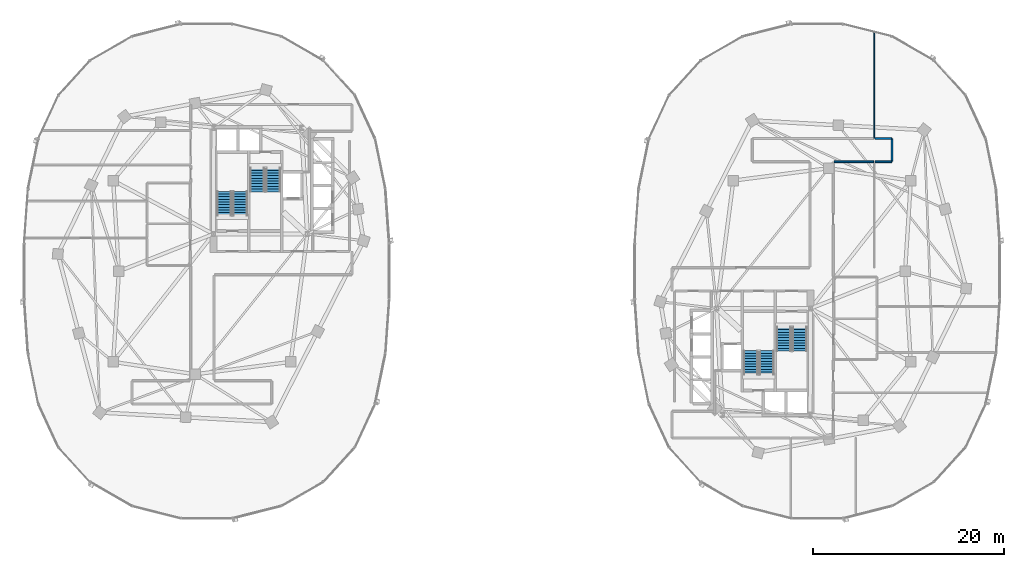
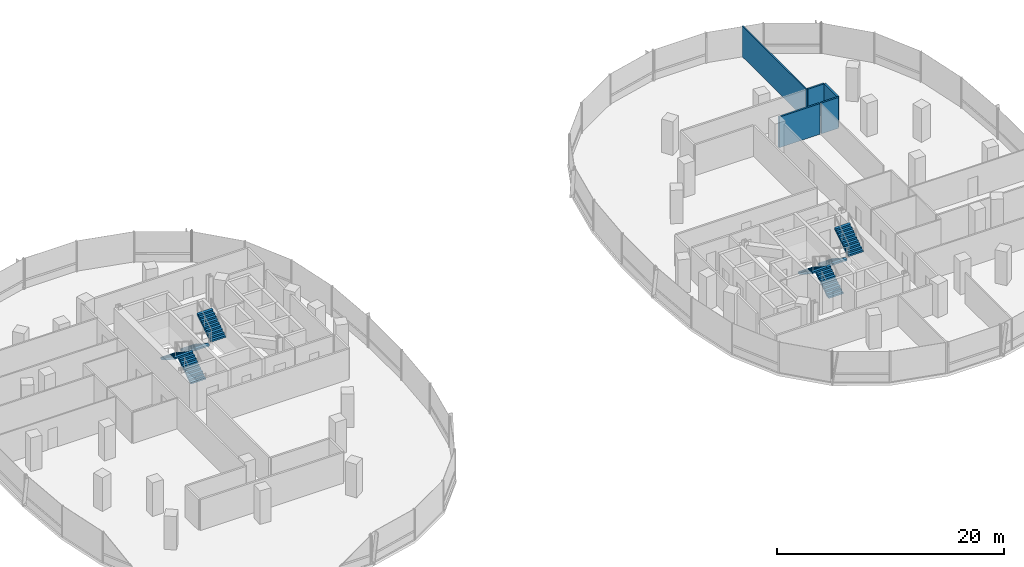
# One storey, part 14 of 21: 8 stair flights, 5 walls, 4 elements without a shape of their own.
"""IFC4 building model written with IfcOpenShell, lengths in metres."""

from ifc_helpers import new_model, si_unit, direction, frame, frame_2d, origin, place, context, subcontext, project, spatial, polyline, rectangle, outline, extrude, material, layer, layer_set, type_object, element, aggregate, save


model = new_model("IFC4")

# Units and contexts
model_context = context("Model", 3, precision=1e-05, world=origin(), true_north=direction((0.0, 1.0)))
body_context = subcontext(model_context, "Body", "Model", "MODEL_VIEW")
ifc_project = project(units=[si_unit("LENGTHUNIT", "METRE"), si_unit("AREAUNIT", "SQUARE_METRE"), si_unit("VOLUMEUNIT", "CUBIC_METRE"), si_unit("PLANEANGLEUNIT", "RADIAN"), si_unit("MASSUNIT", "GRAM", prefix="KILO"), si_unit("THERMODYNAMICTEMPERATUREUNIT", "KELVIN"), si_unit("POWERUNIT", "WATT")], contexts=[model_context])

# Site, building, storey
site_placement = place(None, origin())
site = spatial("IfcSite", under=ifc_project, at=site_placement, CompositionType="ELEMENT")
building_placement = place(site_placement, origin())
building = spatial("IfcBuilding", under=site, at=building_placement, Name="Cundina Bronze Exchange", CompositionType="ELEMENT")
storey_placement = place(building_placement, frame((0.0, 0.0, 89.0)))
storey = spatial("IfcBuildingStorey", under=building, at=storey_placement, Name="L22", CompositionType="ELEMENT", Elevation=89.0)

# Walls
ifc_material_1 = material(Name="Gypsum Fireboard Partition EI120")
ifc_layer_1 = layer(ifc_material_1, 0.179931640625, Name="Gypsum Fireboard Partition EI120")
ifc_layer_set_1 = layer_set([ifc_layer_1], Name="Gypsum Fireboard Partition EI120")
wall_type_1 = type_object("IfcWallType", Name="WL-COR-180", PredefinedType="PARTITIONING", material=ifc_layer_set_1)
wall_1_placement = place(storey_placement, frame((33.75, 11.47998046875, 0.0), z_axis=(0.0, 0.0, 1.0), x_axis=(1.0, 0.0, 0.0)))
element("IfcWall", 1, at=wall_1_placement, inside=storey, type_object=wall_type_1, Name="L22 Interior Partition 067", PredefinedType="PARTITIONING", context=body_context, shape_type="SweptSolid", body=[
    extrude(rectangle(XDim=4.139892578125, YDim=0.179931640625, at=frame_2d((2.06982421875, 0.0))), origin(), (0.0, 0.0, 1.0), 3.300048828125),
])
wall_2_placement = place(storey_placement, frame((39.820068359375, 11.521484375, 0.0), z_axis=(0.0, 0.0, 1.0), x_axis=(0.0, 1.0, 0.0)))
element("IfcWall", 2, at=wall_2_placement, inside=storey, type_object=wall_type_1, Name="L22 Interior Partition 068", PredefinedType="PARTITIONING", context=body_context, shape_type="SweptSolid", body=[
    extrude(rectangle(XDim=2.35693359375, YDim=0.179931640625, at=frame_2d((1.178466796875, 0.0))), origin(), (0.0, 0.0, 1.0), 3.300048828125),
])
for number, where, z_axis, x_axis, name in (
    (3, (38.070068359375, 11.47998046875, 0.0), (0.0, 0.0, 1.0), (1.0, 0.0, 0.0), "L22 Interior Partition 069"),
    (4, (39.778564453125, 13.919921875, 0.0), (0.0, 0.0, 1.0), (-1.0, 0.0, 0.0), "L22 Interior Partition 070"),
):
    element("IfcWall", number, at=place(storey_placement, frame(where, z_axis=z_axis, x_axis=x_axis)), inside=storey, type_object=wall_type_1, Name=name, PredefinedType="PARTITIONING", context=body_context, shape_type="SweptSolid", body=[
        extrude(rectangle(XDim=1.70849609375, YDim=0.179931640625, at=frame_2d((0.854248046875, 0.0))), origin(), (0.0, 0.0, 1.0), 3.300048828125),
    ])
ifc_material_2 = material(Name="Gypsum Acoustic Partition EI60")
ifc_layer_2 = layer(ifc_material_2, 0.125, Name="Gypsum Acoustic Partition EI60")
ifc_layer_set_2 = layer_set([ifc_layer_2], Name="Gypsum Acoustic Partition EI60")
wall_type_2 = type_object("IfcWallType", Name="WL-OFF-125", PredefinedType="PARTITIONING", material=ifc_layer_set_2)
wall_3_placement = place(storey_placement, frame((37.97998046875, 13.949951171875, 0.0), z_axis=(0.0, 0.0, 1.0), x_axis=(0.0, 1.0, 0.0)))
element("IfcWall", 5, at=wall_3_placement, inside=storey, type_object=wall_type_2, Name="L22 Interior Partition 049", PredefinedType="PARTITIONING", context=body_context, shape_type="SweptSolid", body=[
    extrude(rectangle(XDim=11.20654296875, YDim=0.125, at=frame_2d((5.603271484375, 0.0))), origin(), (0.0, 0.0, 1.0), 3.300048828125),
])

# Stair, stair flights
ifc_material_3 = material(Name="Concrete C40/50", Category="concrete")
stair_type = type_object("IfcStairType", Name="STR-OFF-360", PredefinedType="HALF_TURN_STAIR", material=ifc_material_3)
stair_1_placement = place(storey_placement, origin())
stair_1 = element("IfcStair", 6, at=stair_1_placement, inside=storey, type_object=stair_type, Name="L22 Smokeproof Exit Stair W1", PredefinedType="HALF_TURN_STAIR")
stair_flight_type = type_object("IfcStairFlightType", Name="FLG-OFF-180", PredefinedType="STRAIGHT", material=ifc_material_3)
stair_flight_1_placement = place(storey_placement, frame((-28.489990234375, 5.85009765625, 0.0), z_axis=(0.0, 0.0, 1.0), x_axis=(0.0, 1.0, 0.0)))
stair_flight_1 = element("IfcStairFlight", 7, at=stair_flight_1_placement, type_object=stair_flight_type, Name="ST-W1 flight 1", NumberOfRisers=10, NumberOfTreads=9, PredefinedType="STRAIGHT", RiserHeight=0.18, TreadLength=0.28, context=body_context, shape_type="SweptSolid", body=[
    extrude(outline(polyline([(0.0, 0.0), (0.0, 0.179931640625), (0.280029296875, 0.179931640625), (0.280029296875, 0.360107421875), (0.56005859375, 0.360107421875), (0.56005859375, 0.5400390625), (0.840087890625, 0.5400390625), (0.840087890625, 0.719970703125), (1.1201171875, 0.719970703125), (1.1201171875, 0.89990234375), (1.39990234375, 0.89990234375), (1.39990234375, 1.080078125), (1.679931640625, 1.080078125), (1.679931640625, 1.260009765625), (1.9599609375, 1.260009765625), (1.9599609375, 1.43994140625), (2.239990234375, 1.43994140625), (2.239990234375, 1.6201171875), (2.52001953125, 1.6201171875), (2.52001953125, 1.800048828125), (2.52001953125, 1.44189453125), (0.277099609375, 0.0), (0.0, 0.0)])), frame((0.0, 0.75, 0.0), z_axis=(0.0, -1.0, 0.0), x_axis=(1.0, 0.0, 0.0)), (0.0, 0.0, 1.0), 1.5),
])
stair_flight_2_placement = place(storey_placement, frame((-30.14990234375, 8.3701171875, 1.800048828125), z_axis=(0.0, 0.0, 1.0), x_axis=(0.0, -1.0, 0.0)))
stair_flight_2 = element("IfcStairFlight", 8, at=stair_flight_2_placement, type_object=stair_flight_type, Name="ST-W1 flight 2", NumberOfRisers=10, NumberOfTreads=9, PredefinedType="STRAIGHT", RiserHeight=0.18, TreadLength=0.28, context=body_context, shape_type="SweptSolid", body=[
    extrude(outline(polyline([(0.0, 0.0), (0.0, 0.179931640625), (0.280029296875, 0.179931640625), (0.280029296875, 0.360107421875), (0.56005859375, 0.360107421875), (0.56005859375, 0.5400390625), (0.840087890625, 0.5400390625), (0.840087890625, 0.719970703125), (1.1201171875, 0.719970703125), (1.1201171875, 0.89990234375), (1.39990234375, 0.89990234375), (1.39990234375, 1.080078125), (1.679931640625, 1.080078125), (1.679931640625, 1.260009765625), (1.9599609375, 1.260009765625), (1.9599609375, 1.43994140625), (2.239990234375, 1.43994140625), (2.239990234375, 1.6201171875), (2.52001953125, 1.6201171875), (2.52001953125, 1.800048828125), (2.52001953125, 1.44189453125), (0.277099609375, 0.0), (0.0, 0.0)])), frame((0.0, 0.75, 0.0), z_axis=(0.0, -1.0, 0.0), x_axis=(1.0, 0.0, 0.0)), (0.0, 0.0, 1.0), 1.5),
])
aggregate(stair_1, [stair_flight_1, stair_flight_2])

stair_2_placement = place(storey_placement, origin())
stair_2 = element("IfcStair", 9, at=stair_2_placement, inside=storey, type_object=stair_type, Name="L22 Smokeproof Exit Stair W2", PredefinedType="HALF_TURN_STAIR")
stair_flight_3_placement = place(storey_placement, frame((-26.68994140625, 10.85009765625, 0.0), z_axis=(0.0, 0.0, 1.0), x_axis=(0.0, -1.0, 0.0)))
stair_flight_3 = element("IfcStairFlight", 10, at=stair_flight_3_placement, type_object=stair_flight_type, Name="ST-W2 flight 1", NumberOfRisers=10, NumberOfTreads=9, PredefinedType="STRAIGHT", RiserHeight=0.18, TreadLength=0.28, context=body_context, shape_type="SweptSolid", body=[
    extrude(outline(polyline([(0.0, 0.0), (0.0, 0.179931640625), (0.280029296875, 0.179931640625), (0.280029296875, 0.360107421875), (0.56005859375, 0.360107421875), (0.56005859375, 0.5400390625), (0.840087890625, 0.5400390625), (0.840087890625, 0.719970703125), (1.1201171875, 0.719970703125), (1.1201171875, 0.89990234375), (1.39990234375, 0.89990234375), (1.39990234375, 1.080078125), (1.679931640625, 1.080078125), (1.679931640625, 1.260009765625), (1.9599609375, 1.260009765625), (1.9599609375, 1.43994140625), (2.239990234375, 1.43994140625), (2.239990234375, 1.6201171875), (2.52001953125, 1.6201171875), (2.52001953125, 1.800048828125), (2.52001953125, 1.44189453125), (0.277099609375, 0.0), (0.0, 0.0)])), frame((0.0, 0.75, 0.0), z_axis=(0.0, -1.0, 0.0), x_axis=(1.0, 0.0, 0.0)), (0.0, 0.0, 1.0), 1.5),
])
stair_flight_4_placement = place(storey_placement, frame((-25.030029296875, 8.330078125, 1.800048828125), z_axis=(0.0, 0.0, 1.0), x_axis=(0.0, 1.0, 0.0)))
stair_flight_4 = element("IfcStairFlight", 11, at=stair_flight_4_placement, type_object=stair_flight_type, Name="ST-W2 flight 2", NumberOfRisers=10, NumberOfTreads=9, PredefinedType="STRAIGHT", RiserHeight=0.18, TreadLength=0.28, context=body_context, shape_type="SweptSolid", body=[
    extrude(outline(polyline([(0.0, 0.0), (0.0, 0.179931640625), (0.280029296875, 0.179931640625), (0.280029296875, 0.360107421875), (0.56005859375, 0.360107421875), (0.56005859375, 0.5400390625), (0.840087890625, 0.5400390625), (0.840087890625, 0.719970703125), (1.1201171875, 0.719970703125), (1.1201171875, 0.89990234375), (1.39990234375, 0.89990234375), (1.39990234375, 1.080078125), (1.679931640625, 1.080078125), (1.679931640625, 1.260009765625), (1.9599609375, 1.260009765625), (1.9599609375, 1.43994140625), (2.239990234375, 1.43994140625), (2.239990234375, 1.6201171875), (2.52001953125, 1.6201171875), (2.52001953125, 1.800048828125), (2.52001953125, 1.44189453125), (0.277099609375, 0.0), (0.0, 0.0)])), frame((0.0, 0.75, 0.0), z_axis=(0.0, -1.0, 0.0), x_axis=(1.0, 0.0, 0.0)), (0.0, 0.0, 1.0), 1.5),
])
aggregate(stair_2, [stair_flight_3, stair_flight_4])

stair_3_placement = place(storey_placement, origin())
stair_3 = element("IfcStair", 12, at=stair_3_placement, inside=storey, type_object=stair_type, Name="L22 Smokeproof Exit Stair E1", PredefinedType="HALF_TURN_STAIR")
stair_flight_5_placement = place(storey_placement, frame((28.489990234375, -5.85009765625, 0.0), z_axis=(0.0, 0.0, 1.0), x_axis=(0.0, -1.0, 0.0)))
stair_flight_5 = element("IfcStairFlight", 13, at=stair_flight_5_placement, type_object=stair_flight_type, Name="ST-E1 flight 1", NumberOfRisers=10, NumberOfTreads=9, PredefinedType="STRAIGHT", RiserHeight=0.18, TreadLength=0.28, context=body_context, shape_type="SweptSolid", body=[
    extrude(outline(polyline([(0.0, 0.0), (0.0, 0.179931640625), (0.280029296875, 0.179931640625), (0.280029296875, 0.360107421875), (0.56005859375, 0.360107421875), (0.56005859375, 0.5400390625), (0.840087890625, 0.5400390625), (0.840087890625, 0.719970703125), (1.1201171875, 0.719970703125), (1.1201171875, 0.89990234375), (1.39990234375, 0.89990234375), (1.39990234375, 1.080078125), (1.679931640625, 1.080078125), (1.679931640625, 1.260009765625), (1.9599609375, 1.260009765625), (1.9599609375, 1.43994140625), (2.239990234375, 1.43994140625), (2.239990234375, 1.6201171875), (2.52001953125, 1.6201171875), (2.52001953125, 1.800048828125), (2.52001953125, 1.44189453125), (0.277099609375, 0.0), (0.0, 0.0)])), frame((0.0, 0.75, 0.0), z_axis=(0.0, -1.0, 0.0), x_axis=(1.0, 0.0, 0.0)), (0.0, 0.0, 1.0), 1.5),
])
stair_flight_6_placement = place(storey_placement, frame((30.14990234375, -8.3701171875, 1.800048828125), z_axis=(0.0, 0.0, 1.0), x_axis=(0.0, 1.0, 0.0)))
stair_flight_6 = element("IfcStairFlight", 14, at=stair_flight_6_placement, type_object=stair_flight_type, Name="ST-E1 flight 2", NumberOfRisers=10, NumberOfTreads=9, PredefinedType="STRAIGHT", RiserHeight=0.18, TreadLength=0.28, context=body_context, shape_type="SweptSolid", body=[
    extrude(outline(polyline([(0.0, 0.0), (0.0, 0.179931640625), (0.280029296875, 0.179931640625), (0.280029296875, 0.360107421875), (0.56005859375, 0.360107421875), (0.56005859375, 0.5400390625), (0.840087890625, 0.5400390625), (0.840087890625, 0.719970703125), (1.1201171875, 0.719970703125), (1.1201171875, 0.89990234375), (1.39990234375, 0.89990234375), (1.39990234375, 1.080078125), (1.679931640625, 1.080078125), (1.679931640625, 1.260009765625), (1.9599609375, 1.260009765625), (1.9599609375, 1.43994140625), (2.239990234375, 1.43994140625), (2.239990234375, 1.6201171875), (2.52001953125, 1.6201171875), (2.52001953125, 1.800048828125), (2.52001953125, 1.44189453125), (0.277099609375, 0.0), (0.0, 0.0)])), frame((0.0, 0.75, 0.0), z_axis=(0.0, -1.0, 0.0), x_axis=(1.0, 0.0, 0.0)), (0.0, 0.0, 1.0), 1.5),
])
aggregate(stair_3, [stair_flight_5, stair_flight_6])

stair_4_placement = place(storey_placement, origin())
stair_4 = element("IfcStair", 15, at=stair_4_placement, inside=storey, type_object=stair_type, Name="L22 Smokeproof Exit Stair E2", PredefinedType="HALF_TURN_STAIR")
stair_flight_7_placement = place(storey_placement, frame((26.68994140625, -10.85009765625, 0.0), z_axis=(0.0, 0.0, 1.0), x_axis=(0.0, 1.0, 0.0)))
stair_flight_7 = element("IfcStairFlight", 16, at=stair_flight_7_placement, type_object=stair_flight_type, Name="ST-E2 flight 1", NumberOfRisers=10, NumberOfTreads=9, PredefinedType="STRAIGHT", RiserHeight=0.18, TreadLength=0.28, context=body_context, shape_type="SweptSolid", body=[
    extrude(outline(polyline([(0.0, 0.0), (0.0, 0.179931640625), (0.280029296875, 0.179931640625), (0.280029296875, 0.360107421875), (0.56005859375, 0.360107421875), (0.56005859375, 0.5400390625), (0.840087890625, 0.5400390625), (0.840087890625, 0.719970703125), (1.1201171875, 0.719970703125), (1.1201171875, 0.89990234375), (1.39990234375, 0.89990234375), (1.39990234375, 1.080078125), (1.679931640625, 1.080078125), (1.679931640625, 1.260009765625), (1.9599609375, 1.260009765625), (1.9599609375, 1.43994140625), (2.239990234375, 1.43994140625), (2.239990234375, 1.6201171875), (2.52001953125, 1.6201171875), (2.52001953125, 1.800048828125), (2.52001953125, 1.44189453125), (0.277099609375, 0.0), (0.0, 0.0)])), frame((0.0, 0.75, 0.0), z_axis=(0.0, -1.0, 0.0), x_axis=(1.0, 0.0, 0.0)), (0.0, 0.0, 1.0), 1.5),
])
stair_flight_8_placement = place(storey_placement, frame((25.030029296875, -8.330078125, 1.800048828125), z_axis=(0.0, 0.0, 1.0), x_axis=(0.0, -1.0, 0.0)))
stair_flight_8 = element("IfcStairFlight", 17, at=stair_flight_8_placement, type_object=stair_flight_type, Name="ST-E2 flight 2", NumberOfRisers=10, NumberOfTreads=9, PredefinedType="STRAIGHT", RiserHeight=0.18, TreadLength=0.28, context=body_context, shape_type="SweptSolid", body=[
    extrude(outline(polyline([(0.0, 0.0), (0.0, 0.179931640625), (0.280029296875, 0.179931640625), (0.280029296875, 0.360107421875), (0.56005859375, 0.360107421875), (0.56005859375, 0.5400390625), (0.840087890625, 0.5400390625), (0.840087890625, 0.719970703125), (1.1201171875, 0.719970703125), (1.1201171875, 0.89990234375), (1.39990234375, 0.89990234375), (1.39990234375, 1.080078125), (1.679931640625, 1.080078125), (1.679931640625, 1.260009765625), (1.9599609375, 1.260009765625), (1.9599609375, 1.43994140625), (2.239990234375, 1.43994140625), (2.239990234375, 1.6201171875), (2.52001953125, 1.6201171875), (2.52001953125, 1.800048828125), (2.52001953125, 1.44189453125), (0.277099609375, 0.0), (0.0, 0.0)])), frame((0.0, 0.75, 0.0), z_axis=(0.0, -1.0, 0.0), x_axis=(1.0, 0.0, 0.0)), (0.0, 0.0, 1.0), 1.5),
])
aggregate(stair_4, [stair_flight_7, stair_flight_8])

save(model, "model.ifc")
